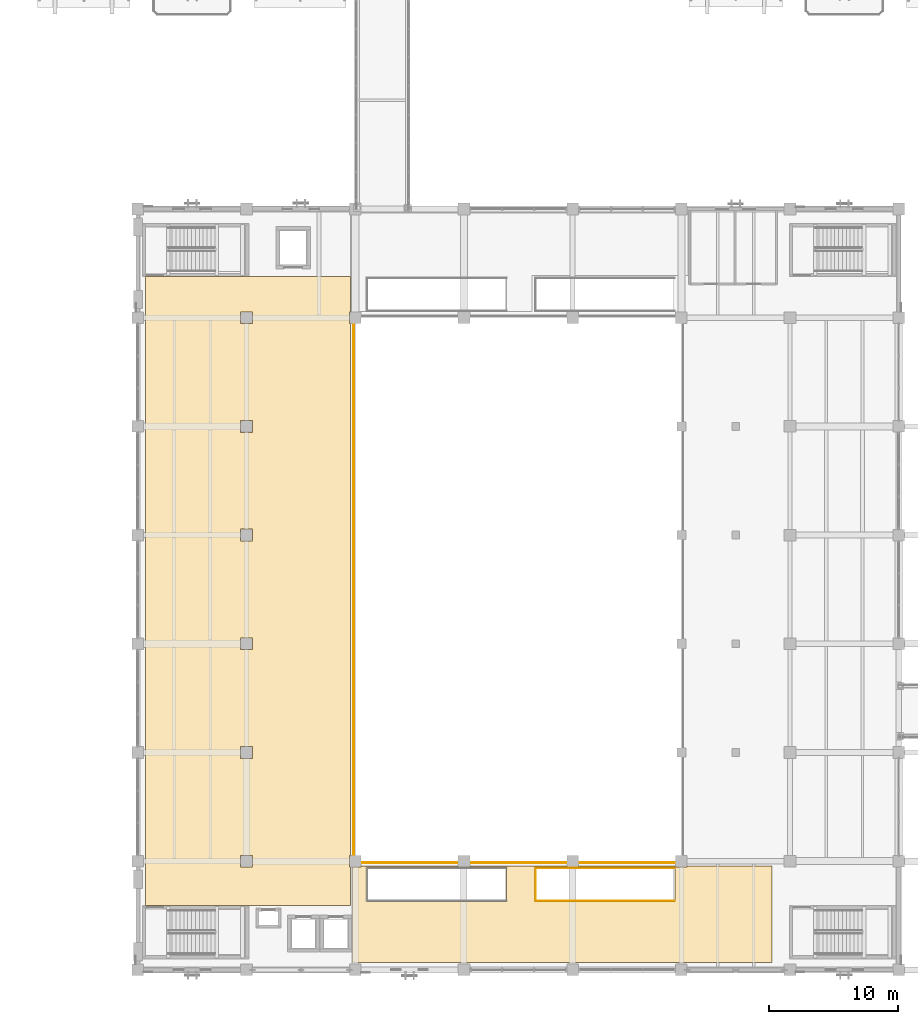
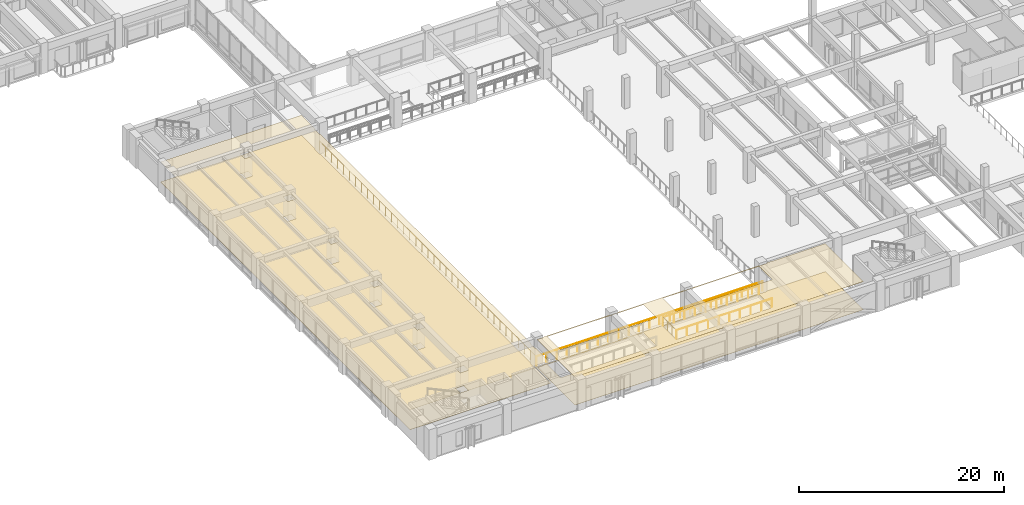
# One storey, part 89 of 118: 5 railings, 4 coverings.
"""IFC4 building model written with IfcOpenShell, lengths in metres."""

from ifc_helpers import new_model, si_unit, direction, frame, origin, origin_2d, place, context, subcontext, project, spatial, polyline, circle, outline, extrude, material, layer, layer_set, type_object, element, save


model = new_model("IFC4")

# Units and contexts
model_context = context("Model", 3, precision=1e-05, world=origin(), true_north=direction((0.0, 1.0)))
body_context = subcontext(model_context, "Body", "Model", "MODEL_VIEW")
ifc_project = project(units=[si_unit("LENGTHUNIT", "METRE"), si_unit("AREAUNIT", "SQUARE_METRE"), si_unit("VOLUMEUNIT", "CUBIC_METRE"), si_unit("PLANEANGLEUNIT", "RADIAN"), si_unit("MASSUNIT", "GRAM", prefix="KILO")], contexts=[model_context])

# Site, building, storey
site_placement = place(None, origin())
site = spatial("IfcSite", under=ifc_project, at=site_placement, CompositionType="ELEMENT")
building_placement = place(site_placement, origin())
building = spatial("IfcBuilding", under=site, at=building_placement, Name="Cumbredor Promenade Congress Hotel", CompositionType="ELEMENT")
storey_placement = place(building_placement, frame((0.0, 0.0, 3.919921875)))
storey = spatial("IfcBuildingStorey", under=building, at=storey_placement, Name="L01", CompositionType="ELEMENT", Elevation=3.919921875)

# Coverings
ifc_material_1 = material(Name="Acoustic mineral-fiber and gypsum ceiling")
ifc_layer_1 = layer(ifc_material_1, 0.02197265625, Name="Acoustic mineral-fiber and gypsum ceiling")
ifc_layer_set_1 = layer_set([ifc_layer_1], Name="Acoustic mineral-fiber and gypsum ceiling")
covering_type_1 = type_object("IfcCoveringType", Name="Acoustic Perforated Gypsum Ceiling CLG-02 22mm", PredefinedType="CEILING", material=ifc_layer_set_1)
covering_1_placement = place(storey_placement, frame((0.0, 0.0, 2.38916015625)))
element("IfcCovering", 1, at=covering_1_placement, inside=storey, type_object=covering_type_1, Name="L01 Plenary West Pre-Function Gallery Acoustic Ceiling", PredefinedType="CEILING", context=body_context, shape_type="SweptSolid", body=[
    extrude(outline(polyline([(24.7451171875, 17.2548828125), (24.7451171875, 16.344970703125), (24.820068359375, 16.344970703125), (24.820068359375, 13.3798828125), (8.97998046875, 13.3798828125), (8.97998046875, 61.969970703125), (24.820068359375, 61.969970703125), (24.820068359375, 59.2548828125), (24.7451171875, 59.2548828125), (24.7451171875, 58.344970703125), (24.820068359375, 58.344970703125), (24.820068359375, 17.2548828125), (24.7451171875, 17.2548828125)]), holes=[polyline([(17.2548828125, 16.344970703125), (17.2548828125, 17.2548828125), (16.344970703125, 17.2548828125), (16.344970703125, 16.344970703125), (17.2548828125, 16.344970703125)]), polyline([(16.344970703125, 24.7451171875), (17.2548828125, 24.7451171875), (17.2548828125, 25.655029296875), (16.344970703125, 25.655029296875), (16.344970703125, 24.7451171875)]), polyline([(16.344970703125, 34.054931640625), (16.344970703125, 33.14501953125), (17.2548828125, 33.14501953125), (17.2548828125, 34.054931640625), (16.344970703125, 34.054931640625)]), polyline([(17.2548828125, 42.455078125), (16.344970703125, 42.455078125), (16.344970703125, 41.544921875), (17.2548828125, 41.544921875), (17.2548828125, 42.455078125)]), polyline([(17.2548828125, 49.945068359375), (17.2548828125, 50.85498046875), (16.344970703125, 50.85498046875), (16.344970703125, 49.945068359375), (17.2548828125, 49.945068359375)]), polyline([(16.344970703125, 58.344970703125), (17.2548828125, 58.344970703125), (17.2548828125, 59.2548828125), (16.344970703125, 59.2548828125), (16.344970703125, 58.344970703125)])]), origin(), (0.0, 0.0, 1.0), 0.02197265625),
])
ifc_layer_2 = layer(ifc_material_1, 0.028076171875, Name="Acoustic mineral-fiber and gypsum ceiling")
ifc_layer_set_2 = layer_set([ifc_layer_2], Name="Acoustic mineral-fiber and gypsum ceiling")
covering_type_2 = type_object("IfcCoveringType", Name="Acoustic Perforated Gypsum Ceiling CLG-03 28mm", PredefinedType="CEILING", material=ifc_layer_set_2)
covering_2_placement = place(storey_placement, frame((0.0, 0.0, 3.33203125)))
element("IfcCovering", 2, at=covering_2_placement, inside=storey, type_object=covering_type_2, Name="L01 Plenary South Concourse Corridor Acoustic Ceiling", PredefinedType="CEILING", context=body_context, shape_type="SweptSolid", body=[
    extrude(outline(polyline([(33.14501953125, 16.419921875), (33.14501953125, 16.344970703125), (34.054931640625, 16.344970703125), (34.054931640625, 16.419921875), (41.544921875, 16.419921875), (41.544921875, 16.344970703125), (42.455078125, 16.344970703125), (42.455078125, 16.419921875), (49.945068359375, 16.419921875), (49.945068359375, 16.344970703125), (50.85498046875, 16.344970703125), (50.85498046875, 16.419921875), (57.419921875, 16.419921875), (57.419921875, 8.97998046875), (24.97998046875, 8.97998046875), (24.97998046875, 16.344970703125), (25.655029296875, 16.344970703125), (25.655029296875, 16.419921875), (33.14501953125, 16.419921875)]), holes=[polyline([(36.89990234375, 13.699951171875), (36.89990234375, 16.300048828125), (26.10009765625, 16.300048828125), (26.10009765625, 13.699951171875), (36.89990234375, 13.699951171875)]), polyline([(39.10009765625, 16.300048828125), (39.10009765625, 13.699951171875), (49.89990234375, 13.699951171875), (49.89990234375, 16.300048828125), (39.10009765625, 16.300048828125)])]), origin(), (0.0, 0.0, 1.0), 0.028076171875),
])

# Railings
ifc_material_2 = material(Name="Brushed stainless steel", Category="steel")
railing_type = type_object("IfcRailingType", Name="Interior Void & Stair Guardrail GR-1100", PredefinedType="GUARDRAIL", material=ifc_material_2)
railing_1_placement = place(storey_placement, frame((25.080078125, 16.679931640625, 0.0)))
element("IfcRailing", 3, at=railing_1_placement, inside=storey, type_object=railing_type, Name="L01 v1_plenary_bowl Void Perimeter Guardrail 1", PredefinedType="GUARDRAIL", context=body_context, shape_type="SweptSolid", body=[
    extrude(circle(Radius=0.02392578125, at=origin_2d()), frame((0.0, 0.0, 1.09619140625), z_axis=(1.0, 0.0, 0.0), x_axis=(0.0, 1.0, 0.0)), (0.0, 0.0, 1.0), 25.43994140625),
    extrude(circle(Radius=0.02099609375, at=origin_2d()), origin(), (0.0, 0.0, 1.0), 1.072021484375),
    extrude(circle(Radius=0.02099609375, at=origin_2d()), frame((1.15625, 0.0, 0.0)), (0.0, 0.0, 1.0), 1.072021484375),
    extrude(circle(Radius=0.02099609375, at=origin_2d()), frame((2.312744140625, 0.0, 0.0)), (0.0, 0.0, 1.0), 1.072021484375),
    extrude(circle(Radius=0.02099609375, at=origin_2d()), frame((3.468994140625, 0.0, 0.0)), (0.0, 0.0, 1.0), 1.072021484375),
    extrude(circle(Radius=0.02099609375, at=origin_2d()), frame((4.62548828125, 0.0, 0.0)), (0.0, 0.0, 1.0), 1.072021484375),
    extrude(circle(Radius=0.02099609375, at=origin_2d()), frame((5.78173828125, 0.0, 0.0)), (0.0, 0.0, 1.0), 1.072021484375),
    extrude(circle(Radius=0.02099609375, at=origin_2d()), frame((6.938232421875, 0.0, 0.0)), (0.0, 0.0, 1.0), 1.072021484375),
    extrude(circle(Radius=0.02099609375, at=origin_2d()), frame((8.094482421875, 0.0, 0.0)), (0.0, 0.0, 1.0), 1.072021484375),
    extrude(circle(Radius=0.02099609375, at=origin_2d()), frame((9.2509765625, 0.0, 0.0)), (0.0, 0.0, 1.0), 1.072021484375),
    extrude(circle(Radius=0.02099609375, at=origin_2d()), frame((10.4072265625, 0.0, 0.0)), (0.0, 0.0, 1.0), 1.072021484375),
    extrude(circle(Radius=0.02099609375, at=origin_2d()), frame((11.563720703125, 0.0, 0.0)), (0.0, 0.0, 1.0), 1.072021484375),
    extrude(circle(Radius=0.02099609375, at=origin_2d()), frame((12.719970703125, 0.0, 0.0)), (0.0, 0.0, 1.0), 1.072021484375),
    extrude(circle(Radius=0.02099609375, at=origin_2d()), frame((13.876220703125, 0.0, 0.0)), (0.0, 0.0, 1.0), 1.072021484375),
    extrude(circle(Radius=0.02099609375, at=origin_2d()), frame((15.03271484375, 0.0, 0.0)), (0.0, 0.0, 1.0), 1.072021484375),
    extrude(circle(Radius=0.02099609375, at=origin_2d()), frame((16.18896484375, 0.0, 0.0)), (0.0, 0.0, 1.0), 1.072021484375),
    extrude(circle(Radius=0.02099609375, at=origin_2d()), frame((17.345458984375, 0.0, 0.0)), (0.0, 0.0, 1.0), 1.072021484375),
    extrude(circle(Radius=0.02099609375, at=origin_2d()), frame((18.501708984375, 0.0, 0.0)), (0.0, 0.0, 1.0), 1.072021484375),
    extrude(circle(Radius=0.02099609375, at=origin_2d()), frame((19.658203125, 0.0, 0.0)), (0.0, 0.0, 1.0), 1.072021484375),
    extrude(circle(Radius=0.02099609375, at=origin_2d()), frame((20.814453125, 0.0, 0.0)), (0.0, 0.0, 1.0), 1.072021484375),
    extrude(circle(Radius=0.02099609375, at=origin_2d()), frame((21.970947265625, 0.0, 0.0)), (0.0, 0.0, 1.0), 1.072021484375),
    extrude(circle(Radius=0.02099609375, at=origin_2d()), frame((23.127197265625, 0.0, 0.0)), (0.0, 0.0, 1.0), 1.072021484375),
    extrude(circle(Radius=0.02099609375, at=origin_2d()), frame((24.28369140625, 0.0, 0.0)), (0.0, 0.0, 1.0), 1.072021484375),
    extrude(circle(Radius=0.02099609375, at=origin_2d()), frame((25.43994140625, 0.0, 0.0)), (0.0, 0.0, 1.0), 1.072021484375),
])
railing_2_placement = place(storey_placement, frame((25.080078125, 58.919921875, 0.0)))
element("IfcRailing", 4, at=railing_2_placement, inside=storey, type_object=railing_type, Name="L01 v1_plenary_bowl Void Perimeter Guardrail 4", PredefinedType="GUARDRAIL", context=body_context, shape_type="SweptSolid", body=[
    extrude(circle(Radius=0.02392578125, at=origin_2d()), frame((0.0, 0.0, 1.09619140625), z_axis=(0.0, -1.0, 0.0), x_axis=(1.0, 0.0, 0.0)), (0.0, 0.0, 1.0), 42.239990234375),
    extrude(circle(Radius=0.02099609375, at=origin_2d()), origin(), (0.0, 0.0, 1.0), 1.072021484375),
    extrude(circle(Radius=0.02099609375, at=origin_2d()), frame((0.0, -1.17333984375, 0.0)), (0.0, 0.0, 1.0), 1.072021484375),
    extrude(circle(Radius=0.02099609375, at=origin_2d()), frame((0.0, -2.3466796875, 0.0)), (0.0, 0.0, 1.0), 1.072021484375),
    extrude(circle(Radius=0.02099609375, at=origin_2d()), frame((0.0, -3.52001953125, 0.0)), (0.0, 0.0, 1.0), 1.072021484375),
    extrude(circle(Radius=0.02099609375, at=origin_2d()), frame((0.0, -4.693359375, 0.0)), (0.0, 0.0, 1.0), 1.072021484375),
    extrude(circle(Radius=0.02099609375, at=origin_2d()), frame((0.0, -5.86669921875, 0.0)), (0.0, 0.0, 1.0), 1.072021484375),
    extrude(circle(Radius=0.02099609375, at=origin_2d()), frame((0.0, -7.0400390625, 0.0)), (0.0, 0.0, 1.0), 1.072021484375),
    extrude(circle(Radius=0.02099609375, at=origin_2d()), frame((0.0, -8.21337890625, 0.0)), (0.0, 0.0, 1.0), 1.072021484375),
    extrude(circle(Radius=0.02099609375, at=origin_2d()), frame((0.0, -9.38671875, 0.0)), (0.0, 0.0, 1.0), 1.072021484375),
    extrude(circle(Radius=0.02099609375, at=origin_2d()), frame((0.0, -10.56005859375, 0.0)), (0.0, 0.0, 1.0), 1.072021484375),
    extrude(circle(Radius=0.02099609375, at=origin_2d()), frame((0.0, -11.7333984375, 0.0)), (0.0, 0.0, 1.0), 1.072021484375),
    extrude(circle(Radius=0.02099609375, at=origin_2d()), frame((0.0, -12.90673828125, 0.0)), (0.0, 0.0, 1.0), 1.072021484375),
    extrude(circle(Radius=0.02099609375, at=origin_2d()), frame((0.0, -14.080078125, 0.0)), (0.0, 0.0, 1.0), 1.072021484375),
    extrude(circle(Radius=0.02099609375, at=origin_2d()), frame((0.0, -15.25341796875, 0.0)), (0.0, 0.0, 1.0), 1.072021484375),
    extrude(circle(Radius=0.02099609375, at=origin_2d()), frame((0.0, -16.4267578125, 0.0)), (0.0, 0.0, 1.0), 1.072021484375),
    extrude(circle(Radius=0.02099609375, at=origin_2d()), frame((0.0, -17.60009765625, 0.0)), (0.0, 0.0, 1.0), 1.072021484375),
    extrude(circle(Radius=0.02099609375, at=origin_2d()), frame((0.0, -18.7734375, 0.0)), (0.0, 0.0, 1.0), 1.072021484375),
    extrude(circle(Radius=0.02099609375, at=origin_2d()), frame((0.0, -19.94677734375, 0.0)), (0.0, 0.0, 1.0), 1.072021484375),
    extrude(circle(Radius=0.02099609375, at=origin_2d()), frame((0.0, -21.1201171875, 0.0)), (0.0, 0.0, 1.0), 1.072021484375),
    extrude(circle(Radius=0.02099609375, at=origin_2d()), frame((0.0, -22.293212890625, 0.0)), (0.0, 0.0, 1.0), 1.072021484375),
    extrude(circle(Radius=0.02099609375, at=origin_2d()), frame((0.0, -23.466552734375, 0.0)), (0.0, 0.0, 1.0), 1.072021484375),
    extrude(circle(Radius=0.02099609375, at=origin_2d()), frame((0.0, -24.639892578125, 0.0)), (0.0, 0.0, 1.0), 1.072021484375),
    extrude(circle(Radius=0.02099609375, at=origin_2d()), frame((0.0, -25.813232421875, 0.0)), (0.0, 0.0, 1.0), 1.072021484375),
    extrude(circle(Radius=0.02099609375, at=origin_2d()), frame((0.0, -26.986572265625, 0.0)), (0.0, 0.0, 1.0), 1.072021484375),
    extrude(circle(Radius=0.02099609375, at=origin_2d()), frame((0.0, -28.159912109375, 0.0)), (0.0, 0.0, 1.0), 1.072021484375),
    extrude(circle(Radius=0.02099609375, at=origin_2d()), frame((0.0, -29.333251953125, 0.0)), (0.0, 0.0, 1.0), 1.072021484375),
    extrude(circle(Radius=0.02099609375, at=origin_2d()), frame((0.0, -30.506591796875, 0.0)), (0.0, 0.0, 1.0), 1.072021484375),
    extrude(circle(Radius=0.02099609375, at=origin_2d()), frame((0.0, -31.679931640625, 0.0)), (0.0, 0.0, 1.0), 1.072021484375),
    extrude(circle(Radius=0.02099609375, at=origin_2d()), frame((0.0, -32.853271484375, 0.0)), (0.0, 0.0, 1.0), 1.072021484375),
    extrude(circle(Radius=0.02099609375, at=origin_2d()), frame((0.0, -34.026611328125, 0.0)), (0.0, 0.0, 1.0), 1.072021484375),
    extrude(circle(Radius=0.02099609375, at=origin_2d()), frame((0.0, -35.199951171875, 0.0)), (0.0, 0.0, 1.0), 1.072021484375),
    extrude(circle(Radius=0.02099609375, at=origin_2d()), frame((0.0, -36.373291015625, 0.0)), (0.0, 0.0, 1.0), 1.072021484375),
    extrude(circle(Radius=0.02099609375, at=origin_2d()), frame((0.0, -37.546630859375, 0.0)), (0.0, 0.0, 1.0), 1.072021484375),
    extrude(circle(Radius=0.02099609375, at=origin_2d()), frame((0.0, -38.719970703125, 0.0)), (0.0, 0.0, 1.0), 1.072021484375),
    extrude(circle(Radius=0.02099609375, at=origin_2d()), frame((0.0, -39.893310546875, 0.0)), (0.0, 0.0, 1.0), 1.072021484375),
    extrude(circle(Radius=0.02099609375, at=origin_2d()), frame((0.0, -41.066650390625, 0.0)), (0.0, 0.0, 1.0), 1.072021484375),
    extrude(circle(Radius=0.02099609375, at=origin_2d()), frame((0.0, -42.239990234375, 0.0)), (0.0, 0.0, 1.0), 1.072021484375),
])
for number, where, name in (
    (5, (39.1201171875, 13.719970703125, 0.0), "L01 vm_03_well Void Perimeter Guardrail 1"),
    (6, (39.1201171875, 16.280029296875, 0.0), "L01 vm_03_well Void Perimeter Guardrail 2"),
):
    element("IfcRailing", number, at=place(storey_placement, frame(where)), inside=storey, type_object=railing_type, Name=name, PredefinedType="GUARDRAIL", context=body_context, shape_type="SweptSolid", body=[
        extrude(circle(Radius=0.02392578125, at=origin_2d()), frame((0.0, 0.0, 1.09619140625), z_axis=(1.0, 0.0, 0.0), x_axis=(0.0, 1.0, 0.0)), (0.0, 0.0, 1.0), 10.759765625),
        extrude(circle(Radius=0.02099609375, at=origin_2d()), origin(), (0.0, 0.0, 1.0), 1.072021484375),
        extrude(circle(Radius=0.02099609375, at=origin_2d()), frame((1.195556640625, 0.0, 0.0)), (0.0, 0.0, 1.0), 1.072021484375),
        extrude(circle(Radius=0.02099609375, at=origin_2d()), frame((2.39111328125, 0.0, 0.0)), (0.0, 0.0, 1.0), 1.072021484375),
        extrude(circle(Radius=0.02099609375, at=origin_2d()), frame((3.586669921875, 0.0, 0.0)), (0.0, 0.0, 1.0), 1.072021484375),
        extrude(circle(Radius=0.02099609375, at=origin_2d()), frame((4.7822265625, 0.0, 0.0)), (0.0, 0.0, 1.0), 1.072021484375),
        extrude(circle(Radius=0.02099609375, at=origin_2d()), frame((5.9775390625, 0.0, 0.0)), (0.0, 0.0, 1.0), 1.072021484375),
        extrude(circle(Radius=0.02099609375, at=origin_2d()), frame((7.173095703125, 0.0, 0.0)), (0.0, 0.0, 1.0), 1.072021484375),
        extrude(circle(Radius=0.02099609375, at=origin_2d()), frame((8.36865234375, 0.0, 0.0)), (0.0, 0.0, 1.0), 1.072021484375),
        extrude(circle(Radius=0.02099609375, at=origin_2d()), frame((9.564208984375, 0.0, 0.0)), (0.0, 0.0, 1.0), 1.072021484375),
        extrude(circle(Radius=0.02099609375, at=origin_2d()), frame((10.759765625, 0.0, 0.0)), (0.0, 0.0, 1.0), 1.072021484375),
    ])
railing_3_placement = place(storey_placement, frame((39.1201171875, 13.719970703125, 0.0)))
element("IfcRailing", 7, at=railing_3_placement, inside=storey, type_object=railing_type, Name="L01 vm_03_well Void Perimeter Guardrail 3", PredefinedType="GUARDRAIL", context=body_context, shape_type="SweptSolid", body=[
    extrude(circle(Radius=0.02392578125, at=origin_2d()), frame((0.0, 0.0, 1.09619140625), z_axis=(0.0, 1.0, 0.0), x_axis=(-1.0, 0.0, 0.0)), (0.0, 0.0, 1.0), 2.56005859375),
    extrude(circle(Radius=0.02099609375, at=origin_2d()), origin(), (0.0, 0.0, 1.0), 1.072021484375),
    extrude(circle(Radius=0.02099609375, at=origin_2d()), frame((0.0, 0.853271484375, 0.0)), (0.0, 0.0, 1.0), 1.072021484375),
    extrude(circle(Radius=0.02099609375, at=origin_2d()), frame((0.0, 1.706787109375, 0.0)), (0.0, 0.0, 1.0), 1.072021484375),
    extrude(circle(Radius=0.02099609375, at=origin_2d()), frame((0.0, 2.56005859375, 0.0)), (0.0, 0.0, 1.0), 1.072021484375),
])

# Coverings
ifc_material_3 = material(Name="Porcelain stoneware tile", Category="masonry")
ifc_layer_3 = layer(ifc_material_3, 0.02001953125, Name="Porcelain stoneware tile", Category="masonry")
ifc_layer_set_3 = layer_set([ifc_layer_3], Name="Porcelain stoneware tile")
covering_type_3 = type_object("IfcCoveringType", Name="Porcelain Stoneware Flooring FLR-01 20mm", PredefinedType="FLOORING", material=ifc_layer_set_3)
covering_3_placement = place(storey_placement, origin())
element("IfcCovering", 8, at=covering_3_placement, inside=storey, type_object=covering_type_3, Name="L01 Plenary South Concourse Corridor Porcelain Flooring", PredefinedType="FLOORING", context=body_context, shape_type="SweptSolid", body=[
    extrude(outline(polyline([(33.14501953125, 16.419921875), (33.14501953125, 16.344970703125), (34.054931640625, 16.344970703125), (34.054931640625, 16.419921875), (41.544921875, 16.419921875), (41.544921875, 16.344970703125), (42.455078125, 16.344970703125), (42.455078125, 16.419921875), (49.945068359375, 16.419921875), (49.945068359375, 16.344970703125), (50.85498046875, 16.344970703125), (50.85498046875, 16.419921875), (57.419921875, 16.419921875), (57.419921875, 8.97998046875), (24.97998046875, 8.97998046875), (24.97998046875, 16.344970703125), (25.655029296875, 16.344970703125), (25.655029296875, 16.419921875), (33.14501953125, 16.419921875)]), holes=[polyline([(36.89990234375, 13.699951171875), (36.89990234375, 16.300048828125), (26.10009765625, 16.300048828125), (26.10009765625, 13.699951171875), (36.89990234375, 13.699951171875)]), polyline([(39.10009765625, 16.300048828125), (39.10009765625, 13.699951171875), (49.89990234375, 13.699951171875), (49.89990234375, 16.300048828125), (39.10009765625, 16.300048828125)])]), origin(), (0.0, 0.0, 1.0), 0.02001953125),
])
ifc_layer_4 = layer(ifc_material_3, 0.030029296875, Name="Porcelain stoneware tile", Category="masonry")
ifc_layer_set_4 = layer_set([ifc_layer_4], Name="Porcelain stoneware tile")
covering_type_4 = type_object("IfcCoveringType", Name="Porcelain Stoneware Flooring FLR-03 30mm", PredefinedType="FLOORING", material=ifc_layer_set_4)
covering_4_placement = place(storey_placement, origin())
element("IfcCovering", 9, at=covering_4_placement, inside=storey, type_object=covering_type_4, Name="L01 Plenary West Pre-Function Gallery Porcelain Flooring", PredefinedType="FLOORING", context=body_context, shape_type="SweptSolid", body=[
    extrude(outline(polyline([(24.7451171875, 17.2548828125), (24.7451171875, 16.344970703125), (24.820068359375, 16.344970703125), (24.820068359375, 13.3798828125), (8.97998046875, 13.3798828125), (8.97998046875, 61.969970703125), (24.820068359375, 61.969970703125), (24.820068359375, 59.2548828125), (24.7451171875, 59.2548828125), (24.7451171875, 58.344970703125), (24.820068359375, 58.344970703125), (24.820068359375, 17.2548828125), (24.7451171875, 17.2548828125)]), holes=[polyline([(17.2548828125, 16.344970703125), (17.2548828125, 17.2548828125), (16.344970703125, 17.2548828125), (16.344970703125, 16.344970703125), (17.2548828125, 16.344970703125)]), polyline([(16.344970703125, 24.7451171875), (17.2548828125, 24.7451171875), (17.2548828125, 25.655029296875), (16.344970703125, 25.655029296875), (16.344970703125, 24.7451171875)]), polyline([(16.344970703125, 34.054931640625), (16.344970703125, 33.14501953125), (17.2548828125, 33.14501953125), (17.2548828125, 34.054931640625), (16.344970703125, 34.054931640625)]), polyline([(17.2548828125, 42.455078125), (16.344970703125, 42.455078125), (16.344970703125, 41.544921875), (17.2548828125, 41.544921875), (17.2548828125, 42.455078125)]), polyline([(17.2548828125, 49.945068359375), (17.2548828125, 50.85498046875), (16.344970703125, 50.85498046875), (16.344970703125, 49.945068359375), (17.2548828125, 49.945068359375)]), polyline([(16.344970703125, 58.344970703125), (17.2548828125, 58.344970703125), (17.2548828125, 59.2548828125), (16.344970703125, 59.2548828125), (16.344970703125, 58.344970703125)])]), origin(), (0.0, 0.0, 1.0), 0.030029296875),
])

save(model, "model.ifc")
